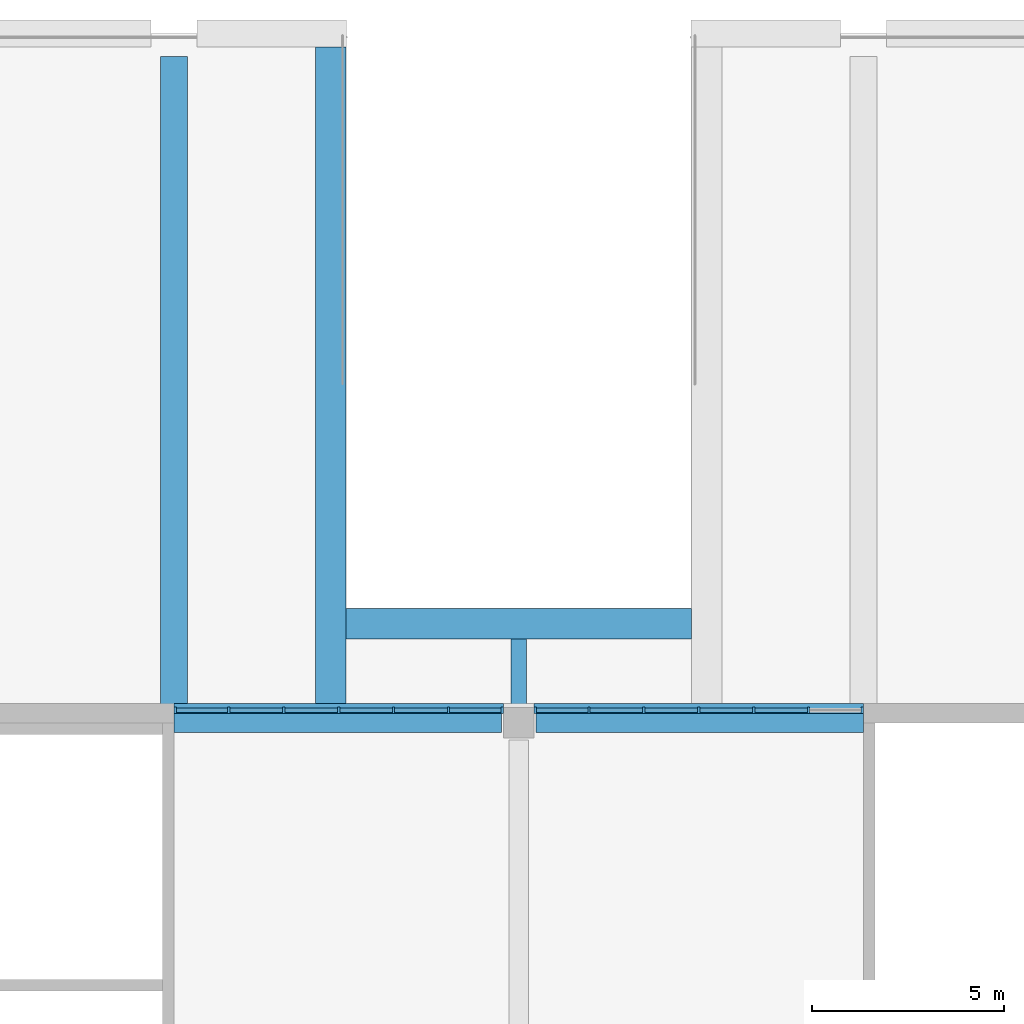
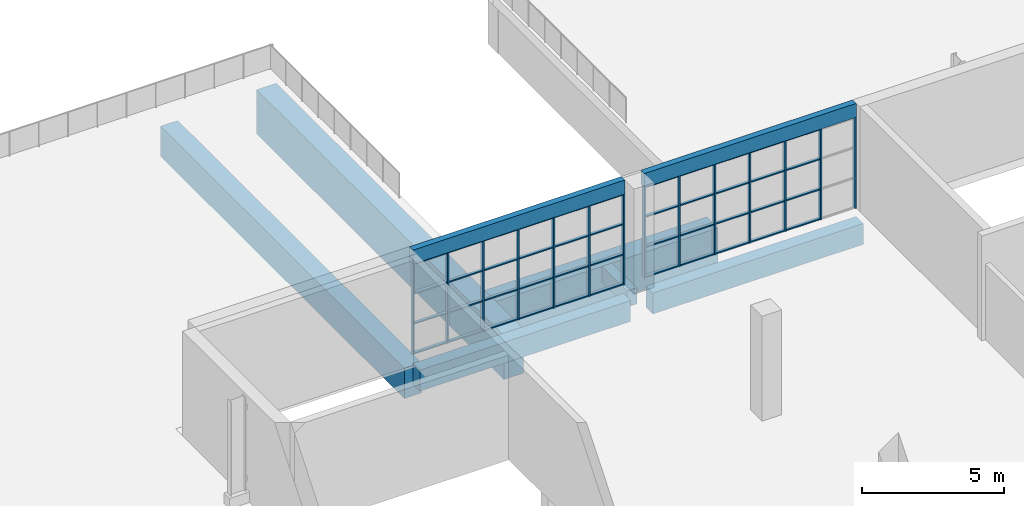
# One storey, part 54 of 168: 58 members, 8 beams, 2 elements without a shape of their own.
"""IFC4 building model written with IfcOpenShell, lengths in metres."""

from ifc_helpers import new_model, si_unit, direction, frame, origin, origin_2d, place, context, subcontext, project, spatial, rectangle, extrude, material, material_profile, profile_set, type_object, element, aggregate, save


model = new_model("IFC4")

# Units and contexts
model_context = context("Model", 3, precision=1e-05, world=origin(), true_north=direction((0.0, 1.0)))
body_context = subcontext(model_context, "Body", "Model", "MODEL_VIEW")
ifc_project = project(units=[si_unit("LENGTHUNIT", "METRE"), si_unit("AREAUNIT", "SQUARE_METRE"), si_unit("VOLUMEUNIT", "CUBIC_METRE"), si_unit("PLANEANGLEUNIT", "RADIAN"), si_unit("MASSUNIT", "GRAM", prefix="KILO")], contexts=[model_context])

# Site, building, storey
site_placement = place(None, origin())
site = spatial("IfcSite", under=ifc_project, at=site_placement, CompositionType="ELEMENT")
building_placement = place(site_placement, origin())
building = spatial("IfcBuilding", under=site, at=building_placement, Name="Silverbay Arena", CompositionType="ELEMENT")
storey_placement = place(building_placement, frame((0.0, 0.0, 7.0)))
storey = spatial("IfcBuildingStorey", under=building, at=storey_placement, Name="L01", CompositionType="ELEMENT", Elevation=7.0)

# Curtain wall, members
ifc_material_1 = material(Name="Aluminium framed curtain wall", Category="aluminium")
curtain_wall_type = type_object("IfcCurtainWallType", Name="Curtain wall 8600 x 3900", PredefinedType="NOTDEFINED", material=ifc_material_1)
curtain_wall_1_placement = place(storey_placement, origin())
curtain_wall_1 = element("IfcCurtainWall", 1, at=curtain_wall_1_placement, inside=storey, type_object=curtain_wall_type, Name="North curtain wall L01 bay 2", PredefinedType="NOTDEFINED")
ifc_material_2 = material(Name="Aluminium", Category="aluminium")
ifc_material_profile_1 = material_profile(ifc_material_2, rectangle(XDim=0.159912109375, YDim=0.06005859375, at=origin_2d()), Name="Mullion 60 x 160")
ifc_profile_set_1 = profile_set([ifc_material_profile_1], Name="Aluminium")
member_type_1 = type_object("IfcMemberType", Name="Mullion 60 x 160", PredefinedType="MULLION", material=ifc_profile_set_1)
member_1_placement = place(storey_placement, frame((44.570068359375, 144.330078125, 0.0), z_axis=(0.0, 0.0, 1.0), x_axis=(0.0, -1.0, 0.0)))
member_1 = element("IfcMember", 2, at=member_1_placement, type_object=member_type_1, Name="CW1 mullion 1", PredefinedType="MULLION", context=body_context, shape_type="SweptSolid", body=[
    extrude(rectangle(XDim=0.159912109375, YDim=0.06005859375, at=origin_2d()), origin(), (0.0, 0.0, 1.0), 3.89990234375),
])
member_2_placement = place(storey_placement, frame((43.166748046875, 144.330078125, 0.0), z_axis=(0.0, 0.0, 1.0), x_axis=(0.0, -1.0, 0.0)))
member_2 = element("IfcMember", 3, at=member_2_placement, type_object=member_type_1, Name="CW1 mullion 2", PredefinedType="MULLION", context=body_context, shape_type="SweptSolid", body=[
    extrude(rectangle(XDim=0.159912109375, YDim=0.06005859375, at=origin_2d()), origin(), (0.0, 0.0, 1.0), 3.89990234375),
])
member_3_placement = place(storey_placement, frame((41.7333984375, 144.330078125, 0.0), z_axis=(0.0, 0.0, 1.0), x_axis=(0.0, -1.0, 0.0)))
member_3 = element("IfcMember", 4, at=member_3_placement, type_object=member_type_1, Name="CW1 mullion 3", PredefinedType="MULLION", context=body_context, shape_type="SweptSolid", body=[
    extrude(rectangle(XDim=0.159912109375, YDim=0.06005859375, at=origin_2d()), origin(), (0.0, 0.0, 1.0), 3.89990234375),
])
member_4_placement = place(storey_placement, frame((40.300048828125, 144.330078125, 0.0), z_axis=(0.0, 0.0, 1.0), x_axis=(0.0, -1.0, 0.0)))
member_4 = element("IfcMember", 5, at=member_4_placement, type_object=member_type_1, Name="CW1 mullion 4", PredefinedType="MULLION", context=body_context, shape_type="SweptSolid", body=[
    extrude(rectangle(XDim=0.159912109375, YDim=0.06005859375, at=origin_2d()), origin(), (0.0, 0.0, 1.0), 3.89990234375),
])
member_5_placement = place(storey_placement, frame((38.86669921875, 144.330078125, 0.0), z_axis=(0.0, 0.0, 1.0), x_axis=(0.0, -1.0, 0.0)))
member_5 = element("IfcMember", 6, at=member_5_placement, type_object=member_type_1, Name="CW1 mullion 5", PredefinedType="MULLION", context=body_context, shape_type="SweptSolid", body=[
    extrude(rectangle(XDim=0.159912109375, YDim=0.06005859375, at=origin_2d()), origin(), (0.0, 0.0, 1.0), 3.89990234375),
])
member_6_placement = place(storey_placement, frame((37.433349609375, 144.330078125, 0.0), z_axis=(0.0, 0.0, 1.0), x_axis=(0.0, -1.0, 0.0)))
member_6 = element("IfcMember", 7, at=member_6_placement, type_object=member_type_1, Name="CW1 mullion 6", PredefinedType="MULLION", context=body_context, shape_type="SweptSolid", body=[
    extrude(rectangle(XDim=0.159912109375, YDim=0.06005859375, at=origin_2d()), origin(), (0.0, 0.0, 1.0), 3.89990234375),
])
member_7_placement = place(storey_placement, frame((36.030029296875, 144.330078125, 0.0), z_axis=(0.0, 0.0, 1.0), x_axis=(0.0, -1.0, 0.0)))
member_7 = element("IfcMember", 8, at=member_7_placement, type_object=member_type_1, Name="CW1 mullion 7", PredefinedType="MULLION", context=body_context, shape_type="SweptSolid", body=[
    extrude(rectangle(XDim=0.159912109375, YDim=0.06005859375, at=origin_2d()), origin(), (0.0, 0.0, 1.0), 3.89990234375),
])

curtain_wall_2_placement = place(storey_placement, origin())
curtain_wall_2 = element("IfcCurtainWall", 9, at=curtain_wall_2_placement, inside=storey, type_object=curtain_wall_type, Name="North curtain wall L01 bay 3", PredefinedType="NOTDEFINED")
member_8_placement = place(storey_placement, frame((53.969970703125, 144.330078125, 0.0), z_axis=(0.0, 0.0, 1.0), x_axis=(0.0, -1.0, 0.0)))
member_8 = element("IfcMember", 10, at=member_8_placement, type_object=member_type_1, Name="CW1 mullion 1", PredefinedType="MULLION", context=body_context, shape_type="SweptSolid", body=[
    extrude(rectangle(XDim=0.159912109375, YDim=0.06005859375, at=origin_2d()), origin(), (0.0, 0.0, 1.0), 3.89990234375),
])
member_9_placement = place(storey_placement, frame((52.566650390625, 144.330078125, 0.0), z_axis=(0.0, 0.0, 1.0), x_axis=(0.0, -1.0, 0.0)))
member_9 = element("IfcMember", 11, at=member_9_placement, type_object=member_type_1, Name="CW1 mullion 2", PredefinedType="MULLION", context=body_context, shape_type="SweptSolid", body=[
    extrude(rectangle(XDim=0.159912109375, YDim=0.06005859375, at=origin_2d()), origin(), (0.0, 0.0, 1.0), 3.89990234375),
])
member_10_placement = place(storey_placement, frame((51.13330078125, 144.330078125, 0.0), z_axis=(0.0, 0.0, 1.0), x_axis=(0.0, -1.0, 0.0)))
member_10 = element("IfcMember", 12, at=member_10_placement, type_object=member_type_1, Name="CW1 mullion 3", PredefinedType="MULLION", context=body_context, shape_type="SweptSolid", body=[
    extrude(rectangle(XDim=0.159912109375, YDim=0.06005859375, at=origin_2d()), origin(), (0.0, 0.0, 1.0), 3.89990234375),
])
member_11_placement = place(storey_placement, frame((49.699951171875, 144.330078125, 0.0), z_axis=(0.0, 0.0, 1.0), x_axis=(0.0, -1.0, 0.0)))
member_11 = element("IfcMember", 13, at=member_11_placement, type_object=member_type_1, Name="CW1 mullion 4", PredefinedType="MULLION", context=body_context, shape_type="SweptSolid", body=[
    extrude(rectangle(XDim=0.159912109375, YDim=0.06005859375, at=origin_2d()), origin(), (0.0, 0.0, 1.0), 3.89990234375),
])
member_12_placement = place(storey_placement, frame((48.2666015625, 144.330078125, 0.0), z_axis=(0.0, 0.0, 1.0), x_axis=(0.0, -1.0, 0.0)))
member_12 = element("IfcMember", 14, at=member_12_placement, type_object=member_type_1, Name="CW1 mullion 5", PredefinedType="MULLION", context=body_context, shape_type="SweptSolid", body=[
    extrude(rectangle(XDim=0.159912109375, YDim=0.06005859375, at=origin_2d()), origin(), (0.0, 0.0, 1.0), 3.89990234375),
])
member_13_placement = place(storey_placement, frame((46.833251953125, 144.330078125, 0.0), z_axis=(0.0, 0.0, 1.0), x_axis=(0.0, -1.0, 0.0)))
member_13 = element("IfcMember", 15, at=member_13_placement, type_object=member_type_1, Name="CW1 mullion 6", PredefinedType="MULLION", context=body_context, shape_type="SweptSolid", body=[
    extrude(rectangle(XDim=0.159912109375, YDim=0.06005859375, at=origin_2d()), origin(), (0.0, 0.0, 1.0), 3.89990234375),
])
member_14_placement = place(storey_placement, frame((45.429931640625, 144.330078125, 0.0), z_axis=(0.0, 0.0, 1.0), x_axis=(0.0, -1.0, 0.0)))
member_14 = element("IfcMember", 16, at=member_14_placement, type_object=member_type_1, Name="CW1 mullion 7", PredefinedType="MULLION", context=body_context, shape_type="SweptSolid", body=[
    extrude(rectangle(XDim=0.159912109375, YDim=0.06005859375, at=origin_2d()), origin(), (0.0, 0.0, 1.0), 3.89990234375),
])

# Beams
ifc_material_3 = material(Name="Concrete Grade C45", Category="concrete")
ifc_material_profile_2 = material_profile(ifc_material_3, rectangle(XDim=0.39990234375, YDim=0.699951171875, at=origin_2d()), Name="RC 400x700")
ifc_profile_set_2 = profile_set([ifc_material_profile_2], Name="Concrete Grade C45")
beam_type_1 = type_object("IfcBeamType", Name="RC beam 400x700", PredefinedType="BEAM", material=ifc_profile_set_2)
beam_1_placement = place(storey_placement, frame((45.0, 144.449951171875, -0.800048828125), z_axis=(0.0, 1.0, 0.0), x_axis=(-1.0, 0.0, 0.0)))
element("IfcBeam", 17, at=beam_1_placement, inside=storey, type_object=beam_type_1, Name="Deck secondary beam 102", PredefinedType="BEAM", context=body_context, shape_type="SweptSolid", body=[
    extrude(rectangle(XDim=0.39990234375, YDim=0.699951171875, at=origin_2d()), origin(), (0.0, 0.0, 1.0), 1.739990234375),
])
ifc_material_4 = material(Name="Concrete Grade C45", Category="concrete")
ifc_material_profile_3 = material_profile(ifc_material_4, rectangle(XDim=0.5, YDim=0.89990234375, at=origin_2d()), Name="RC 500x900")
ifc_profile_set_3 = profile_set([ifc_material_profile_3], Name="Concrete Grade C45")
beam_type_2 = type_object("IfcBeamType", Name="RC beam 500x900", PredefinedType="BEAM", material=ifc_profile_set_3)
for number, where, z_axis, x_axis, name in (
    (18, (36.0, 144.0, -0.800048828125), (1.0, 0.0, 0.0), (0.0, 1.0, 0.0), "Floor beam L01 172"),
    (19, (45.449951171875, 144.0, -0.800048828125), (1.0, 0.0, 0.0), (0.0, 1.0, 0.0), "Floor beam L01 173"),
):
    element("IfcBeam", number, at=place(storey_placement, frame(where, z_axis=z_axis, x_axis=x_axis)), inside=storey, type_object=beam_type_2, Name=name, PredefinedType="BEAM", context=body_context, shape_type="SweptSolid", body=[
        extrude(rectangle(XDim=0.5, YDim=0.89990234375, at=origin_2d()), origin(), (0.0, 0.0, 1.0), 8.550048828125),
    ])
ifc_material_5 = material(Name="Concrete Grade C45", Category="concrete")
ifc_material_profile_4 = material_profile(ifc_material_5, rectangle(XDim=0.25, YDim=0.60009765625, at=origin_2d()), Name="RC 250x600")
ifc_profile_set_4 = profile_set([ifc_material_profile_4], Name="Concrete Grade C45")
beam_type_3 = type_object("IfcBeamType", Name="RC facade beam 250x600", PredefinedType="SPANDREL", material=ifc_profile_set_4)
for number, where, z_axis, x_axis, name in (
    (20, (36.0, 144.375, 4.199951171875), (1.0, 0.0, 0.0), (0.0, 1.0, 0.0), "Facade beam L01 north"),
    (21, (45.39990234375, 144.375, 4.199951171875), (1.0, 0.0, 0.0), (0.0, 1.0, 0.0), "Facade beam L01 north"),
):
    element("IfcBeam", number, at=place(storey_placement, frame(where, z_axis=z_axis, x_axis=x_axis)), inside=storey, type_object=beam_type_3, Name=name, PredefinedType="SPANDREL", context=body_context, shape_type="SweptSolid", body=[
        extrude(rectangle(XDim=0.25, YDim=0.60009765625, at=origin_2d()), origin(), (0.0, 0.0, 1.0), 8.60009765625),
    ])
ifc_material_6 = material(Name="Concrete Grade C45", Category="concrete")
ifc_material_profile_5 = material_profile(ifc_material_6, rectangle(XDim=0.699951171875, YDim=1.300048828125, at=origin_2d()), Name="RC 700x1300")
ifc_profile_set_5 = profile_set([ifc_material_profile_5], Name="Concrete Grade C45")
beam_type_4 = type_object("IfcBeamType", Name="RC girder 700x1300", PredefinedType="BEAM", material=ifc_profile_set_5)
beam_2_placement = place(storey_placement, frame((36.0, 144.25, -1.10009765625), z_axis=(0.0, 1.0, 0.0), x_axis=(-1.0, 0.0, 0.0)))
element("IfcBeam", 22, at=beam_2_placement, inside=storey, type_object=beam_type_4, Name="Deck secondary beam 100", PredefinedType="BEAM", context=body_context, shape_type="SweptSolid", body=[
    extrude(rectangle(XDim=0.699951171875, YDim=1.300048828125, at=origin_2d()), origin(), (0.0, 0.0, 1.0), 17.14990234375),
])
ifc_material_7 = material(Name="Concrete Grade C45", Category="concrete")
ifc_material_profile_6 = material_profile(ifc_material_7, rectangle(XDim=0.800048828125, YDim=1.60009765625, at=origin_2d()), Name="RC 800x1600")
ifc_profile_set_6 = profile_set([ifc_material_profile_6], Name="Concrete Grade C45")
beam_type_5 = type_object("IfcBeamType", Name="RC trimmer beam 800x1600", PredefinedType="BEAM", material=ifc_profile_set_6)
beam_3_placement = place(storey_placement, frame((40.489990234375, 146.590087890625, -1.25), z_axis=(1.0, 0.0, 0.0), x_axis=(0.0, 1.0, 0.0)))
element("IfcBeam", 23, at=beam_3_placement, inside=storey, type_object=beam_type_5, Name="Deck head trimmer 058", PredefinedType="BEAM", context=body_context, shape_type="SweptSolid", body=[
    extrude(rectangle(XDim=0.800048828125, YDim=1.60009765625, at=origin_2d()), origin(), (0.0, 0.0, 1.0), 9.02001953125),
])
ifc_material_8 = material(Name="Concrete Grade C45", Category="concrete")
ifc_material_profile_7 = material_profile(ifc_material_8, rectangle(XDim=0.800048828125, YDim=1.89990234375, at=origin_2d()), Name="RC 800x1900")
ifc_profile_set_7 = profile_set([ifc_material_profile_7], Name="Concrete Grade C45")
beam_type_6 = type_object("IfcBeamType", Name="RC trimmer girder 800x1900", PredefinedType="BEAM", material=ifc_profile_set_7)
beam_4_placement = place(storey_placement, frame((40.090087890625, 144.25, -1.39990234375), z_axis=(0.0, 1.0, 0.0), x_axis=(-1.0, 0.0, 0.0)))
element("IfcBeam", 24, at=beam_4_placement, inside=storey, type_object=beam_type_6, Name="Deck trimmer 056", PredefinedType="BEAM", context=body_context, shape_type="SweptSolid", body=[
    extrude(rectangle(XDim=0.800048828125, YDim=1.89990234375, at=origin_2d()), origin(), (0.0, 0.0, 1.0), 17.39990234375),
])

# Member
ifc_material_9 = material(Name="Aluminium", Category="aluminium")
ifc_material_profile_8 = material_profile(ifc_material_9, rectangle(XDim=0.1201171875, YDim=0.050048828125, at=origin_2d()), Name="Transom 50 x 120")
ifc_profile_set_8 = profile_set([ifc_material_profile_8], Name="Aluminium")
member_type_2 = type_object("IfcMemberType", Name="Transom 50 x 120", PredefinedType="USERDEFINED", material=ifc_profile_set_8)
member_15_placement = place(storey_placement, frame((44.5400390625, 144.330078125, 0.02490234375), z_axis=(-1.0, 0.0, 0.0), x_axis=(0.0, -1.0, 0.0)))
member_15 = element("IfcMember", 25, at=member_15_placement, type_object=member_type_2, Name="CW1 transom 1.1", ObjectType="TRANSOM", PredefinedType="USERDEFINED", context=body_context, shape_type="SweptSolid", body=[
    extrude(rectangle(XDim=0.1201171875, YDim=0.050048828125, at=origin_2d()), origin(), (0.0, 0.0, 1.0), 1.34326171875),
])

member_16_placement = place(storey_placement, frame((44.5400390625, 144.330078125, 1.300048828125), z_axis=(-1.0, 0.0, 0.0), x_axis=(0.0, -1.0, 0.0)))
member_16 = element("IfcMember", 26, at=member_16_placement, type_object=member_type_2, Name="CW1 transom 1.2", ObjectType="TRANSOM", PredefinedType="USERDEFINED", context=body_context, shape_type="SweptSolid", body=[
    extrude(rectangle(XDim=0.1201171875, YDim=0.050048828125, at=origin_2d()), origin(), (0.0, 0.0, 1.0), 1.34326171875),
])

member_17_placement = place(storey_placement, frame((44.5400390625, 144.330078125, 2.60009765625), z_axis=(-1.0, 0.0, 0.0), x_axis=(0.0, -1.0, 0.0)))
member_17 = element("IfcMember", 27, at=member_17_placement, type_object=member_type_2, Name="CW1 transom 1.3", ObjectType="TRANSOM", PredefinedType="USERDEFINED", context=body_context, shape_type="SweptSolid", body=[
    extrude(rectangle(XDim=0.1201171875, YDim=0.050048828125, at=origin_2d()), origin(), (0.0, 0.0, 1.0), 1.34326171875),
])

member_18_placement = place(storey_placement, frame((44.5400390625, 144.330078125, 3.875), z_axis=(-1.0, 0.0, 0.0), x_axis=(0.0, -1.0, 0.0)))
member_18 = element("IfcMember", 28, at=member_18_placement, type_object=member_type_2, Name="CW1 transom 1.4", ObjectType="TRANSOM", PredefinedType="USERDEFINED", context=body_context, shape_type="SweptSolid", body=[
    extrude(rectangle(XDim=0.1201171875, YDim=0.050048828125, at=origin_2d()), origin(), (0.0, 0.0, 1.0), 1.34326171875),
])

member_19_placement = place(storey_placement, frame((43.13671875, 144.330078125, 0.02490234375), z_axis=(-1.0, 0.0, 0.0), x_axis=(0.0, -1.0, 0.0)))
member_19 = element("IfcMember", 29, at=member_19_placement, type_object=member_type_2, Name="CW1 transom 2.1", ObjectType="TRANSOM", PredefinedType="USERDEFINED", context=body_context, shape_type="SweptSolid", body=[
    extrude(rectangle(XDim=0.1201171875, YDim=0.050048828125, at=origin_2d()), origin(), (0.0, 0.0, 1.0), 1.373291015625),
])

member_20_placement = place(storey_placement, frame((43.13671875, 144.330078125, 1.300048828125), z_axis=(-1.0, 0.0, 0.0), x_axis=(0.0, -1.0, 0.0)))
member_20 = element("IfcMember", 30, at=member_20_placement, type_object=member_type_2, Name="CW1 transom 2.2", ObjectType="TRANSOM", PredefinedType="USERDEFINED", context=body_context, shape_type="SweptSolid", body=[
    extrude(rectangle(XDim=0.1201171875, YDim=0.050048828125, at=origin_2d()), origin(), (0.0, 0.0, 1.0), 1.373291015625),
])

member_21_placement = place(storey_placement, frame((43.13671875, 144.330078125, 2.60009765625), z_axis=(-1.0, 0.0, 0.0), x_axis=(0.0, -1.0, 0.0)))
member_21 = element("IfcMember", 31, at=member_21_placement, type_object=member_type_2, Name="CW1 transom 2.3", ObjectType="TRANSOM", PredefinedType="USERDEFINED", context=body_context, shape_type="SweptSolid", body=[
    extrude(rectangle(XDim=0.1201171875, YDim=0.050048828125, at=origin_2d()), origin(), (0.0, 0.0, 1.0), 1.373291015625),
])

member_22_placement = place(storey_placement, frame((43.13671875, 144.330078125, 3.875), z_axis=(-1.0, 0.0, 0.0), x_axis=(0.0, -1.0, 0.0)))
member_22 = element("IfcMember", 32, at=member_22_placement, type_object=member_type_2, Name="CW1 transom 2.4", ObjectType="TRANSOM", PredefinedType="USERDEFINED", context=body_context, shape_type="SweptSolid", body=[
    extrude(rectangle(XDim=0.1201171875, YDim=0.050048828125, at=origin_2d()), origin(), (0.0, 0.0, 1.0), 1.373291015625),
])

member_23_placement = place(storey_placement, frame((41.703369140625, 144.330078125, 0.02490234375), z_axis=(-1.0, 0.0, 0.0), x_axis=(0.0, -1.0, 0.0)))
member_23 = element("IfcMember", 33, at=member_23_placement, type_object=member_type_2, Name="CW1 transom 3.1", ObjectType="TRANSOM", PredefinedType="USERDEFINED", context=body_context, shape_type="SweptSolid", body=[
    extrude(rectangle(XDim=0.1201171875, YDim=0.050048828125, at=origin_2d()), origin(), (0.0, 0.0, 1.0), 1.373291015625),
])

member_24_placement = place(storey_placement, frame((41.703369140625, 144.330078125, 1.300048828125), z_axis=(-1.0, 0.0, 0.0), x_axis=(0.0, -1.0, 0.0)))
member_24 = element("IfcMember", 34, at=member_24_placement, type_object=member_type_2, Name="CW1 transom 3.2", ObjectType="TRANSOM", PredefinedType="USERDEFINED", context=body_context, shape_type="SweptSolid", body=[
    extrude(rectangle(XDim=0.1201171875, YDim=0.050048828125, at=origin_2d()), origin(), (0.0, 0.0, 1.0), 1.373291015625),
])

member_25_placement = place(storey_placement, frame((41.703369140625, 144.330078125, 2.60009765625), z_axis=(-1.0, 0.0, 0.0), x_axis=(0.0, -1.0, 0.0)))
member_25 = element("IfcMember", 35, at=member_25_placement, type_object=member_type_2, Name="CW1 transom 3.3", ObjectType="TRANSOM", PredefinedType="USERDEFINED", context=body_context, shape_type="SweptSolid", body=[
    extrude(rectangle(XDim=0.1201171875, YDim=0.050048828125, at=origin_2d()), origin(), (0.0, 0.0, 1.0), 1.373291015625),
])

member_26_placement = place(storey_placement, frame((41.703369140625, 144.330078125, 3.875), z_axis=(-1.0, 0.0, 0.0), x_axis=(0.0, -1.0, 0.0)))
member_26 = element("IfcMember", 36, at=member_26_placement, type_object=member_type_2, Name="CW1 transom 3.4", ObjectType="TRANSOM", PredefinedType="USERDEFINED", context=body_context, shape_type="SweptSolid", body=[
    extrude(rectangle(XDim=0.1201171875, YDim=0.050048828125, at=origin_2d()), origin(), (0.0, 0.0, 1.0), 1.373291015625),
])

member_27_placement = place(storey_placement, frame((40.27001953125, 144.330078125, 0.02490234375), z_axis=(-1.0, 0.0, 0.0), x_axis=(0.0, -1.0, 0.0)))
member_27 = element("IfcMember", 37, at=member_27_placement, type_object=member_type_2, Name="CW1 transom 4.1", ObjectType="TRANSOM", PredefinedType="USERDEFINED", context=body_context, shape_type="SweptSolid", body=[
    extrude(rectangle(XDim=0.1201171875, YDim=0.050048828125, at=origin_2d()), origin(), (0.0, 0.0, 1.0), 1.373291015625),
])

member_28_placement = place(storey_placement, frame((40.27001953125, 144.330078125, 1.300048828125), z_axis=(-1.0, 0.0, 0.0), x_axis=(0.0, -1.0, 0.0)))
member_28 = element("IfcMember", 38, at=member_28_placement, type_object=member_type_2, Name="CW1 transom 4.2", ObjectType="TRANSOM", PredefinedType="USERDEFINED", context=body_context, shape_type="SweptSolid", body=[
    extrude(rectangle(XDim=0.1201171875, YDim=0.050048828125, at=origin_2d()), origin(), (0.0, 0.0, 1.0), 1.373291015625),
])

member_29_placement = place(storey_placement, frame((40.27001953125, 144.330078125, 2.60009765625), z_axis=(-1.0, 0.0, 0.0), x_axis=(0.0, -1.0, 0.0)))
member_29 = element("IfcMember", 39, at=member_29_placement, type_object=member_type_2, Name="CW1 transom 4.3", ObjectType="TRANSOM", PredefinedType="USERDEFINED", context=body_context, shape_type="SweptSolid", body=[
    extrude(rectangle(XDim=0.1201171875, YDim=0.050048828125, at=origin_2d()), origin(), (0.0, 0.0, 1.0), 1.373291015625),
])

member_30_placement = place(storey_placement, frame((40.27001953125, 144.330078125, 3.875), z_axis=(-1.0, 0.0, 0.0), x_axis=(0.0, -1.0, 0.0)))
member_30 = element("IfcMember", 40, at=member_30_placement, type_object=member_type_2, Name="CW1 transom 4.4", ObjectType="TRANSOM", PredefinedType="USERDEFINED", context=body_context, shape_type="SweptSolid", body=[
    extrude(rectangle(XDim=0.1201171875, YDim=0.050048828125, at=origin_2d()), origin(), (0.0, 0.0, 1.0), 1.373291015625),
])

member_31_placement = place(storey_placement, frame((38.836669921875, 144.330078125, 0.02490234375), z_axis=(-1.0, 0.0, 0.0), x_axis=(0.0, -1.0, 0.0)))
member_31 = element("IfcMember", 41, at=member_31_placement, type_object=member_type_2, Name="CW1 transom 5.1", ObjectType="TRANSOM", PredefinedType="USERDEFINED", context=body_context, shape_type="SweptSolid", body=[
    extrude(rectangle(XDim=0.1201171875, YDim=0.050048828125, at=origin_2d()), origin(), (0.0, 0.0, 1.0), 1.373291015625),
])

member_32_placement = place(storey_placement, frame((38.836669921875, 144.330078125, 1.300048828125), z_axis=(-1.0, 0.0, 0.0), x_axis=(0.0, -1.0, 0.0)))
member_32 = element("IfcMember", 42, at=member_32_placement, type_object=member_type_2, Name="CW1 transom 5.2", ObjectType="TRANSOM", PredefinedType="USERDEFINED", context=body_context, shape_type="SweptSolid", body=[
    extrude(rectangle(XDim=0.1201171875, YDim=0.050048828125, at=origin_2d()), origin(), (0.0, 0.0, 1.0), 1.373291015625),
])

member_33_placement = place(storey_placement, frame((38.836669921875, 144.330078125, 2.60009765625), z_axis=(-1.0, 0.0, 0.0), x_axis=(0.0, -1.0, 0.0)))
member_33 = element("IfcMember", 43, at=member_33_placement, type_object=member_type_2, Name="CW1 transom 5.3", ObjectType="TRANSOM", PredefinedType="USERDEFINED", context=body_context, shape_type="SweptSolid", body=[
    extrude(rectangle(XDim=0.1201171875, YDim=0.050048828125, at=origin_2d()), origin(), (0.0, 0.0, 1.0), 1.373291015625),
])

member_34_placement = place(storey_placement, frame((38.836669921875, 144.330078125, 3.875), z_axis=(-1.0, 0.0, 0.0), x_axis=(0.0, -1.0, 0.0)))
member_34 = element("IfcMember", 44, at=member_34_placement, type_object=member_type_2, Name="CW1 transom 5.4", ObjectType="TRANSOM", PredefinedType="USERDEFINED", context=body_context, shape_type="SweptSolid", body=[
    extrude(rectangle(XDim=0.1201171875, YDim=0.050048828125, at=origin_2d()), origin(), (0.0, 0.0, 1.0), 1.373291015625),
])

member_35_placement = place(storey_placement, frame((37.4033203125, 144.330078125, 0.02490234375), z_axis=(-1.0, 0.0, 0.0), x_axis=(0.0, -1.0, 0.0)))
member_35 = element("IfcMember", 45, at=member_35_placement, type_object=member_type_2, Name="CW1 transom 6.1", ObjectType="TRANSOM", PredefinedType="USERDEFINED", context=body_context, shape_type="SweptSolid", body=[
    extrude(rectangle(XDim=0.1201171875, YDim=0.050048828125, at=origin_2d()), origin(), (0.0, 0.0, 1.0), 1.34326171875),
])

member_36_placement = place(storey_placement, frame((37.4033203125, 144.330078125, 1.300048828125), z_axis=(-1.0, 0.0, 0.0), x_axis=(0.0, -1.0, 0.0)))
member_36 = element("IfcMember", 46, at=member_36_placement, type_object=member_type_2, Name="CW1 transom 6.2", ObjectType="TRANSOM", PredefinedType="USERDEFINED", context=body_context, shape_type="SweptSolid", body=[
    extrude(rectangle(XDim=0.1201171875, YDim=0.050048828125, at=origin_2d()), origin(), (0.0, 0.0, 1.0), 1.34326171875),
])

member_37_placement = place(storey_placement, frame((37.4033203125, 144.330078125, 2.60009765625), z_axis=(-1.0, 0.0, 0.0), x_axis=(0.0, -1.0, 0.0)))
member_37 = element("IfcMember", 47, at=member_37_placement, type_object=member_type_2, Name="CW1 transom 6.3", ObjectType="TRANSOM", PredefinedType="USERDEFINED", context=body_context, shape_type="SweptSolid", body=[
    extrude(rectangle(XDim=0.1201171875, YDim=0.050048828125, at=origin_2d()), origin(), (0.0, 0.0, 1.0), 1.34326171875),
])

member_38_placement = place(storey_placement, frame((37.4033203125, 144.330078125, 3.875), z_axis=(-1.0, 0.0, 0.0), x_axis=(0.0, -1.0, 0.0)))
member_38 = element("IfcMember", 48, at=member_38_placement, type_object=member_type_2, Name="CW1 transom 6.4", ObjectType="TRANSOM", PredefinedType="USERDEFINED", context=body_context, shape_type="SweptSolid", body=[
    extrude(rectangle(XDim=0.1201171875, YDim=0.050048828125, at=origin_2d()), origin(), (0.0, 0.0, 1.0), 1.34326171875),
])

aggregate(curtain_wall_1, [member_1, member_2, member_3, member_4, member_5, member_6, member_7, member_15, member_16, member_17, member_18, member_19, member_20, member_21, member_22, member_23, member_24, member_25, member_26, member_27, member_28, member_29, member_30, member_31, member_32, member_33, member_34, member_35, member_36, member_37, member_38])

member_39_placement = place(storey_placement, frame((52.53662109375, 144.330078125, 0.02490234375), z_axis=(-1.0, 0.0, 0.0), x_axis=(0.0, -1.0, 0.0)))
member_39 = element("IfcMember", 49, at=member_39_placement, type_object=member_type_2, Name="CW1 transom 2.1", ObjectType="TRANSOM", PredefinedType="USERDEFINED", context=body_context, shape_type="SweptSolid", body=[
    extrude(rectangle(XDim=0.1201171875, YDim=0.050048828125, at=origin_2d()), origin(), (0.0, 0.0, 1.0), 1.373291015625),
])

member_40_placement = place(storey_placement, frame((52.53662109375, 144.330078125, 1.300048828125), z_axis=(-1.0, 0.0, 0.0), x_axis=(0.0, -1.0, 0.0)))
member_40 = element("IfcMember", 50, at=member_40_placement, type_object=member_type_2, Name="CW1 transom 2.2", ObjectType="TRANSOM", PredefinedType="USERDEFINED", context=body_context, shape_type="SweptSolid", body=[
    extrude(rectangle(XDim=0.1201171875, YDim=0.050048828125, at=origin_2d()), origin(), (0.0, 0.0, 1.0), 1.373291015625),
])

member_41_placement = place(storey_placement, frame((52.53662109375, 144.330078125, 2.60009765625), z_axis=(-1.0, 0.0, 0.0), x_axis=(0.0, -1.0, 0.0)))
member_41 = element("IfcMember", 51, at=member_41_placement, type_object=member_type_2, Name="CW1 transom 2.3", ObjectType="TRANSOM", PredefinedType="USERDEFINED", context=body_context, shape_type="SweptSolid", body=[
    extrude(rectangle(XDim=0.1201171875, YDim=0.050048828125, at=origin_2d()), origin(), (0.0, 0.0, 1.0), 1.373291015625),
])

member_42_placement = place(storey_placement, frame((52.53662109375, 144.330078125, 3.875), z_axis=(-1.0, 0.0, 0.0), x_axis=(0.0, -1.0, 0.0)))
member_42 = element("IfcMember", 52, at=member_42_placement, type_object=member_type_2, Name="CW1 transom 2.4", ObjectType="TRANSOM", PredefinedType="USERDEFINED", context=body_context, shape_type="SweptSolid", body=[
    extrude(rectangle(XDim=0.1201171875, YDim=0.050048828125, at=origin_2d()), origin(), (0.0, 0.0, 1.0), 1.373291015625),
])

member_43_placement = place(storey_placement, frame((51.103271484375, 144.330078125, 0.02490234375), z_axis=(-1.0, 0.0, 0.0), x_axis=(0.0, -1.0, 0.0)))
member_43 = element("IfcMember", 53, at=member_43_placement, type_object=member_type_2, Name="CW1 transom 3.1", ObjectType="TRANSOM", PredefinedType="USERDEFINED", context=body_context, shape_type="SweptSolid", body=[
    extrude(rectangle(XDim=0.1201171875, YDim=0.050048828125, at=origin_2d()), origin(), (0.0, 0.0, 1.0), 1.373291015625),
])

member_44_placement = place(storey_placement, frame((51.103271484375, 144.330078125, 1.300048828125), z_axis=(-1.0, 0.0, 0.0), x_axis=(0.0, -1.0, 0.0)))
member_44 = element("IfcMember", 54, at=member_44_placement, type_object=member_type_2, Name="CW1 transom 3.2", ObjectType="TRANSOM", PredefinedType="USERDEFINED", context=body_context, shape_type="SweptSolid", body=[
    extrude(rectangle(XDim=0.1201171875, YDim=0.050048828125, at=origin_2d()), origin(), (0.0, 0.0, 1.0), 1.373291015625),
])

member_45_placement = place(storey_placement, frame((51.103271484375, 144.330078125, 2.60009765625), z_axis=(-1.0, 0.0, 0.0), x_axis=(0.0, -1.0, 0.0)))
member_45 = element("IfcMember", 55, at=member_45_placement, type_object=member_type_2, Name="CW1 transom 3.3", ObjectType="TRANSOM", PredefinedType="USERDEFINED", context=body_context, shape_type="SweptSolid", body=[
    extrude(rectangle(XDim=0.1201171875, YDim=0.050048828125, at=origin_2d()), origin(), (0.0, 0.0, 1.0), 1.373291015625),
])

member_46_placement = place(storey_placement, frame((51.103271484375, 144.330078125, 3.875), z_axis=(-1.0, 0.0, 0.0), x_axis=(0.0, -1.0, 0.0)))
member_46 = element("IfcMember", 56, at=member_46_placement, type_object=member_type_2, Name="CW1 transom 3.4", ObjectType="TRANSOM", PredefinedType="USERDEFINED", context=body_context, shape_type="SweptSolid", body=[
    extrude(rectangle(XDim=0.1201171875, YDim=0.050048828125, at=origin_2d()), origin(), (0.0, 0.0, 1.0), 1.373291015625),
])

member_47_placement = place(storey_placement, frame((49.669921875, 144.330078125, 0.02490234375), z_axis=(-1.0, 0.0, 0.0), x_axis=(0.0, -1.0, 0.0)))
member_47 = element("IfcMember", 57, at=member_47_placement, type_object=member_type_2, Name="CW1 transom 4.1", ObjectType="TRANSOM", PredefinedType="USERDEFINED", context=body_context, shape_type="SweptSolid", body=[
    extrude(rectangle(XDim=0.1201171875, YDim=0.050048828125, at=origin_2d()), origin(), (0.0, 0.0, 1.0), 1.373291015625),
])

member_48_placement = place(storey_placement, frame((49.669921875, 144.330078125, 1.300048828125), z_axis=(-1.0, 0.0, 0.0), x_axis=(0.0, -1.0, 0.0)))
member_48 = element("IfcMember", 58, at=member_48_placement, type_object=member_type_2, Name="CW1 transom 4.2", ObjectType="TRANSOM", PredefinedType="USERDEFINED", context=body_context, shape_type="SweptSolid", body=[
    extrude(rectangle(XDim=0.1201171875, YDim=0.050048828125, at=origin_2d()), origin(), (0.0, 0.0, 1.0), 1.373291015625),
])

member_49_placement = place(storey_placement, frame((49.669921875, 144.330078125, 2.60009765625), z_axis=(-1.0, 0.0, 0.0), x_axis=(0.0, -1.0, 0.0)))
member_49 = element("IfcMember", 59, at=member_49_placement, type_object=member_type_2, Name="CW1 transom 4.3", ObjectType="TRANSOM", PredefinedType="USERDEFINED", context=body_context, shape_type="SweptSolid", body=[
    extrude(rectangle(XDim=0.1201171875, YDim=0.050048828125, at=origin_2d()), origin(), (0.0, 0.0, 1.0), 1.373291015625),
])

member_50_placement = place(storey_placement, frame((49.669921875, 144.330078125, 3.875), z_axis=(-1.0, 0.0, 0.0), x_axis=(0.0, -1.0, 0.0)))
member_50 = element("IfcMember", 60, at=member_50_placement, type_object=member_type_2, Name="CW1 transom 4.4", ObjectType="TRANSOM", PredefinedType="USERDEFINED", context=body_context, shape_type="SweptSolid", body=[
    extrude(rectangle(XDim=0.1201171875, YDim=0.050048828125, at=origin_2d()), origin(), (0.0, 0.0, 1.0), 1.373291015625),
])

member_51_placement = place(storey_placement, frame((48.236572265625, 144.330078125, 0.02490234375), z_axis=(-1.0, 0.0, 0.0), x_axis=(0.0, -1.0, 0.0)))
member_51 = element("IfcMember", 61, at=member_51_placement, type_object=member_type_2, Name="CW1 transom 5.1", ObjectType="TRANSOM", PredefinedType="USERDEFINED", context=body_context, shape_type="SweptSolid", body=[
    extrude(rectangle(XDim=0.1201171875, YDim=0.050048828125, at=origin_2d()), origin(), (0.0, 0.0, 1.0), 1.373291015625),
])

member_52_placement = place(storey_placement, frame((48.236572265625, 144.330078125, 1.300048828125), z_axis=(-1.0, 0.0, 0.0), x_axis=(0.0, -1.0, 0.0)))
member_52 = element("IfcMember", 62, at=member_52_placement, type_object=member_type_2, Name="CW1 transom 5.2", ObjectType="TRANSOM", PredefinedType="USERDEFINED", context=body_context, shape_type="SweptSolid", body=[
    extrude(rectangle(XDim=0.1201171875, YDim=0.050048828125, at=origin_2d()), origin(), (0.0, 0.0, 1.0), 1.373291015625),
])

member_53_placement = place(storey_placement, frame((48.236572265625, 144.330078125, 2.60009765625), z_axis=(-1.0, 0.0, 0.0), x_axis=(0.0, -1.0, 0.0)))
member_53 = element("IfcMember", 63, at=member_53_placement, type_object=member_type_2, Name="CW1 transom 5.3", ObjectType="TRANSOM", PredefinedType="USERDEFINED", context=body_context, shape_type="SweptSolid", body=[
    extrude(rectangle(XDim=0.1201171875, YDim=0.050048828125, at=origin_2d()), origin(), (0.0, 0.0, 1.0), 1.373291015625),
])

member_54_placement = place(storey_placement, frame((48.236572265625, 144.330078125, 3.875), z_axis=(-1.0, 0.0, 0.0), x_axis=(0.0, -1.0, 0.0)))
member_54 = element("IfcMember", 64, at=member_54_placement, type_object=member_type_2, Name="CW1 transom 5.4", ObjectType="TRANSOM", PredefinedType="USERDEFINED", context=body_context, shape_type="SweptSolid", body=[
    extrude(rectangle(XDim=0.1201171875, YDim=0.050048828125, at=origin_2d()), origin(), (0.0, 0.0, 1.0), 1.373291015625),
])

member_55_placement = place(storey_placement, frame((46.80322265625, 144.330078125, 0.02490234375), z_axis=(-1.0, 0.0, 0.0), x_axis=(0.0, -1.0, 0.0)))
member_55 = element("IfcMember", 65, at=member_55_placement, type_object=member_type_2, Name="CW1 transom 6.1", ObjectType="TRANSOM", PredefinedType="USERDEFINED", context=body_context, shape_type="SweptSolid", body=[
    extrude(rectangle(XDim=0.1201171875, YDim=0.050048828125, at=origin_2d()), origin(), (0.0, 0.0, 1.0), 1.34326171875),
])

member_56_placement = place(storey_placement, frame((46.80322265625, 144.330078125, 1.300048828125), z_axis=(-1.0, 0.0, 0.0), x_axis=(0.0, -1.0, 0.0)))
member_56 = element("IfcMember", 66, at=member_56_placement, type_object=member_type_2, Name="CW1 transom 6.2", ObjectType="TRANSOM", PredefinedType="USERDEFINED", context=body_context, shape_type="SweptSolid", body=[
    extrude(rectangle(XDim=0.1201171875, YDim=0.050048828125, at=origin_2d()), origin(), (0.0, 0.0, 1.0), 1.34326171875),
])

member_57_placement = place(storey_placement, frame((46.80322265625, 144.330078125, 2.60009765625), z_axis=(-1.0, 0.0, 0.0), x_axis=(0.0, -1.0, 0.0)))
member_57 = element("IfcMember", 67, at=member_57_placement, type_object=member_type_2, Name="CW1 transom 6.3", ObjectType="TRANSOM", PredefinedType="USERDEFINED", context=body_context, shape_type="SweptSolid", body=[
    extrude(rectangle(XDim=0.1201171875, YDim=0.050048828125, at=origin_2d()), origin(), (0.0, 0.0, 1.0), 1.34326171875),
])

member_58_placement = place(storey_placement, frame((46.80322265625, 144.330078125, 3.875), z_axis=(-1.0, 0.0, 0.0), x_axis=(0.0, -1.0, 0.0)))
member_58 = element("IfcMember", 68, at=member_58_placement, type_object=member_type_2, Name="CW1 transom 6.4", ObjectType="TRANSOM", PredefinedType="USERDEFINED", context=body_context, shape_type="SweptSolid", body=[
    extrude(rectangle(XDim=0.1201171875, YDim=0.050048828125, at=origin_2d()), origin(), (0.0, 0.0, 1.0), 1.34326171875),
])

aggregate(curtain_wall_2, [member_8, member_9, member_10, member_11, member_12, member_13, member_14, member_39, member_40, member_41, member_42, member_43, member_44, member_45, member_46, member_47, member_48, member_49, member_50, member_51, member_52, member_53, member_54, member_55, member_56, member_57, member_58])

save(model, "model.ifc")
